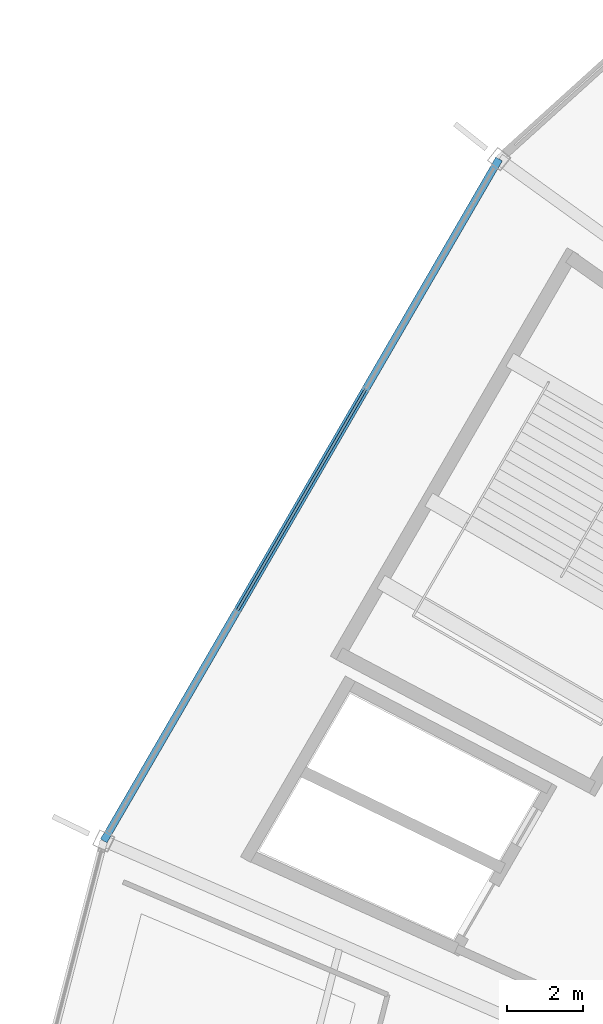
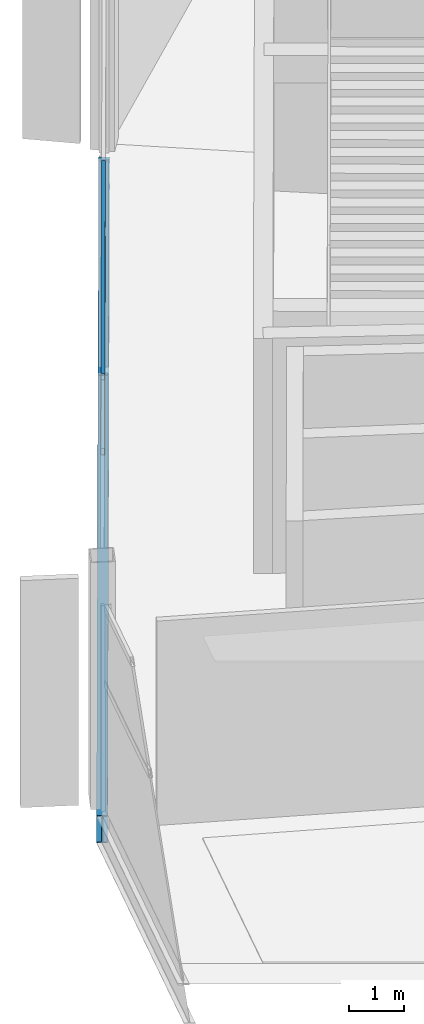
# One storey, part 83 of 186: 2 members, 1 beam, 1 element without a shape of its own.
"""IFC4 building model written with IfcOpenShell, lengths in metres."""

from ifc_helpers import new_model, si_unit, direction, frame, origin, origin_2d, place, context, subcontext, project, spatial, hollow_rectangle, i_section, extrude, material, layer, layer_set, material_profile, profile_set, type_object, element, aggregate, save


model = new_model("IFC4")

# Units and contexts
model_context = context("Model", 3, precision=1e-05, world=origin(), true_north=direction((0.0, 1.0)))
body_context = subcontext(model_context, "Body", "Model", "MODEL_VIEW")
ifc_project = project(units=[si_unit("LENGTHUNIT", "METRE"), si_unit("AREAUNIT", "SQUARE_METRE"), si_unit("VOLUMEUNIT", "CUBIC_METRE"), si_unit("PLANEANGLEUNIT", "RADIAN"), si_unit("MASSUNIT", "GRAM", prefix="KILO")], contexts=[model_context])

# Site, building, storey
site_placement = place(None, origin())
site = spatial("IfcSite", under=ifc_project, at=site_placement, CompositionType="ELEMENT")
building_placement = place(site_placement, origin())
building = spatial("IfcBuilding", under=site, at=building_placement, Name="Kazemori Nagisa Stadium", CompositionType="ELEMENT")
storey_placement = place(building_placement, frame((0.0, 0.0, 20.39990234375)))
storey = spatial("IfcBuildingStorey", under=building, at=storey_placement, Name="L04", CompositionType="ELEMENT", Elevation=20.39990234375)

# Beam
ifc_material_1 = material(Name="Steel SN490B", Category="steel")
ifc_material_profile_1 = material_profile(ifc_material_1, i_section(OverallWidth=0.199951171875, OverallDepth=0.60009765625, WebThickness=0.010986328125, FlangeThickness=0.01708984375, FilletRadius=0.012939453125, at=origin_2d()), Name="H-600x200x11x17")
ifc_profile_set_1 = profile_set([ifc_material_profile_1], Name="Steel SN490B")
beam_type = type_object("IfcBeamType", Name="Beam_BS-H600", PredefinedType="SPANDREL", material=ifc_profile_set_1)
beam_placement = place(storey_placement, frame((44.504638671875, 158.667724609375, -0.599853515625), z_axis=(-0.50161277459, -0.8650922635, 0.0), x_axis=(0.8650922635, -0.50161277459, 0.0)))
element("IfcBeam", 1, at=beam_placement, inside=storey, type_object=beam_type, Name="Ring girder BS-H600 L04 R3-12", PredefinedType="SPANDREL", context=body_context, shape_type="SweptSolid", body=[
    extrude(i_section(OverallWidth=0.199951171875, OverallDepth=0.60009765625, WebThickness=0.010986328125, FlangeThickness=0.01708984375, FilletRadius=0.012939453125, at=origin_2d()), origin(), (0.0, 0.0, 1.0), 20.71240234375),
])

# Curtain wall, members
ifc_material_2 = material(Name="Anodised aluminium 6063-T5", Category="aluminium")
ifc_layer = layer(ifc_material_2, 0.179931640625, Name="Anodised aluminium 6063-T5", Category="aluminium")
ifc_layer_set = layer_set([ifc_layer], Name="Anodised aluminium 6063-T5")
curtain_wall_type = type_object("IfcCurtainWallType", Name="CW_L04R3_101", PredefinedType="USERDEFINED", material=ifc_layer_set)
curtain_wall_placement = place(storey_placement, origin())
curtain_wall = element("IfcCurtainWall", 2, at=curtain_wall_placement, inside=storey, type_object=curtain_wall_type, Name="Unitised curtain wall CW-L04R3-101 L04", ObjectType="UNITISED CURTAIN WALL", PredefinedType="USERDEFINED")
ifc_material_3 = material(Name="Aluminium 6063-T5 anodised", Category="aluminium")
ifc_material_profile_2 = material_profile(ifc_material_3, hollow_rectangle(XDim=0.070068359375, YDim=0.139892578125, WallThickness=0.00390625, at=origin_2d()), Name="ALU-TRAN-70x140x4")
ifc_profile_set_2 = profile_set([ifc_material_profile_2], Name="Aluminium 6063-T5 anodised")
member_type = type_object("IfcMemberType", Name="Transom_T01", PredefinedType="USERDEFINED", material=ifc_profile_set_2)
member_1_placement = place(storey_placement, frame((40.98876953125, 152.60400390625, 2.80859375), z_axis=(-0.50161984125, -0.865088165948, 0.0), x_axis=(0.865088165948, -0.50161984125, 0.0)))
member_1 = element("IfcMember", 3, at=member_1_placement, type_object=member_type, Name="Curtain wall transom CW-L04R3-101-T2-mid", ObjectType="TRANSOM", PredefinedType="USERDEFINED", context=body_context, shape_type="SweptSolid", body=[
    extrude(hollow_rectangle(XDim=0.070068359375, YDim=0.139892578125, WallThickness=0.00390625, at=origin_2d()), origin(), (0.0, 0.0, 1.0), 6.694091796875),
])
member_2_placement = place(storey_placement, frame((40.98876953125, 152.60400390625, 4.460205078125), z_axis=(-0.50161984125, -0.865088165948, 0.0), x_axis=(0.865088165948, -0.50161984125, 0.0)))
member_2 = element("IfcMember", 4, at=member_2_placement, type_object=member_type, Name="Curtain wall transom CW-L04R3-101-T2-head", ObjectType="TRANSOM", PredefinedType="USERDEFINED", context=body_context, shape_type="SweptSolid", body=[
    extrude(hollow_rectangle(XDim=0.070068359375, YDim=0.139892578125, WallThickness=0.00390625, at=origin_2d()), origin(), (0.0, 0.0, 1.0), 6.694091796875),
])
aggregate(curtain_wall, [member_1, member_2])

save(model, "model.ifc")
